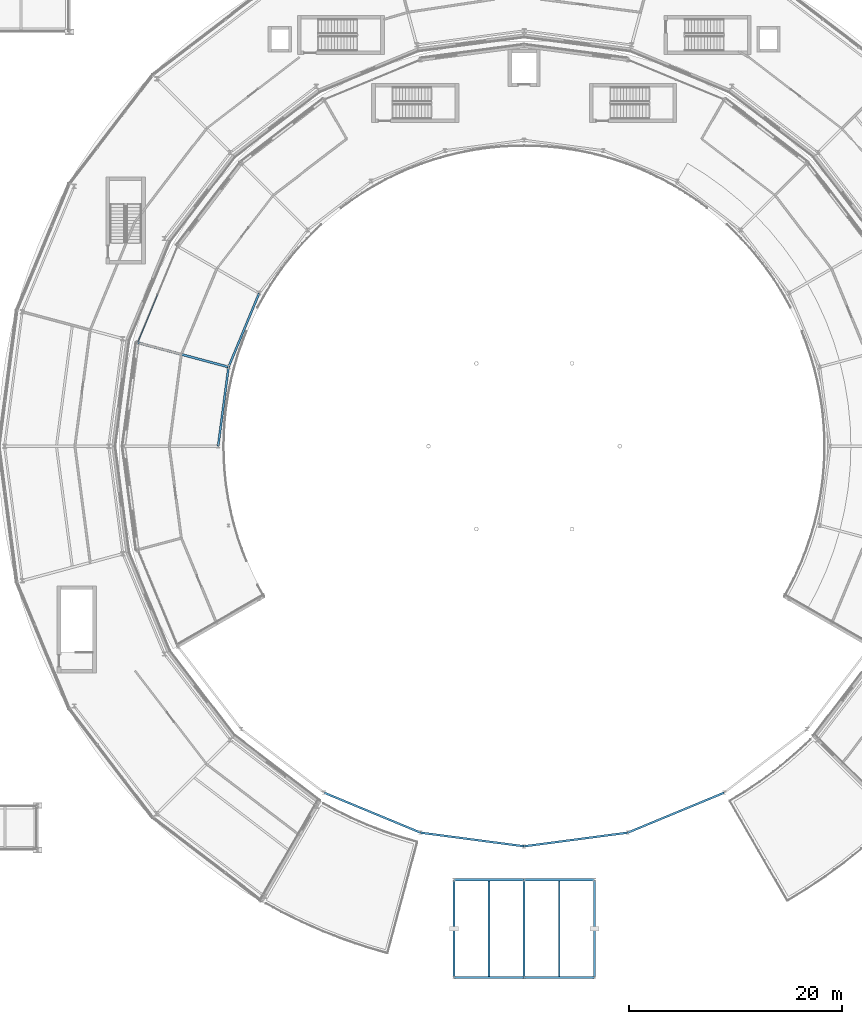
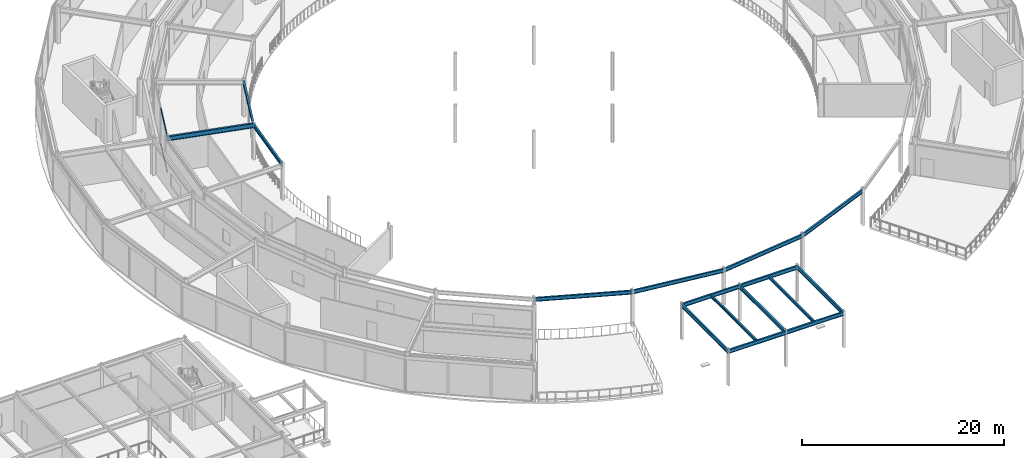
# One storey, part 40 of 157: 16 beams, 2 members, 1 element without a shape of its own.
"""IFC4 building model written with IfcOpenShell, lengths in metres."""

from ifc_helpers import new_model, si_unit, direction, frame, origin, origin_2d, place, context, subcontext, project, spatial, hollow_rectangle, i_section, extrude, material, material_profile, profile_set, type_object, element, aggregate, save


model = new_model("IFC4")

# Units and contexts
model_context = context("Model", 3, precision=1e-05, world=origin(), true_north=direction((0.0, 1.0)))
body_context = subcontext(model_context, "Body", "Model", "MODEL_VIEW")
ifc_project = project(units=[si_unit("LENGTHUNIT", "METRE"), si_unit("AREAUNIT", "SQUARE_METRE"), si_unit("VOLUMEUNIT", "CUBIC_METRE"), si_unit("PLANEANGLEUNIT", "RADIAN"), si_unit("MASSUNIT", "GRAM", prefix="KILO")], contexts=[model_context])

# Site, building, storey
site_placement = place(None, origin())
site = spatial("IfcSite", under=ifc_project, at=site_placement, CompositionType="ELEMENT")
building_placement = place(site_placement, origin())
building = spatial("IfcBuilding", under=site, at=building_placement, Name="Almandine Court Research Institute", CompositionType="ELEMENT")
storey_placement = place(building_placement, frame((0.0, 0.0, 5.25)))
storey = spatial("IfcBuildingStorey", under=building, at=storey_placement, Name="L01", CompositionType="ELEMENT", Elevation=5.25)

# Beams
ifc_material_1 = material(Name="Steel ASTM A992 Grade 50", Category="steel")
ifc_material_profile_1 = material_profile(ifc_material_1, i_section(OverallWidth=0.18994140625, OverallDepth=0.45703125, WebThickness=0.009033203125, FlangeThickness=0.014892578125, at=origin_2d()), Name="W460x74")
ifc_profile_set_1 = profile_set([ifc_material_profile_1], Name="Steel ASTM A992 Grade 50")
beam_type_1 = type_object("IfcBeamType", Name="Beam-B-01", PredefinedType="BEAM", material=ifc_profile_set_1)
beam_1_placement = place(storey_placement, frame((87.0, 6.0, 4.12109375), z_axis=(0.0, 1.0, 0.0), x_axis=(-1.0, 0.0, 0.0)))
element("IfcBeam", 1, at=beam_1_placement, inside=storey, type_object=beam_type_1, Name="L01 PSH-S Primary Y Girder", PredefinedType="BEAM", context=body_context, shape_type="SweptSolid", body=[
    extrude(i_section(OverallWidth=0.18994140625, OverallDepth=0.45703125, WebThickness=0.009033203125, FlangeThickness=0.014892578125, at=origin_2d()), origin(), (0.0, 0.0, 1.0), 9.199951171875),
])
beam_2_placement = place(storey_placement, frame((62.05810546875, 70.39990234375, 4.14111328125), z_axis=(-0.382700732442, -0.923872366395, 0.0), x_axis=(0.923872366395, -0.382700732442, 0.0)))
element("IfcBeam", 2, at=beam_2_placement, inside=storey, type_object=beam_type_1, Name="L01 Atrium Gallery Edge Beam", PredefinedType="BEAM", context=body_context, shape_type="SweptSolid", body=[
    extrude(i_section(OverallWidth=0.18994140625, OverallDepth=0.45703125, WebThickness=0.009033203125, FlangeThickness=0.014892578125, at=origin_2d()), origin(), (0.0, 0.0, 1.0), 7.51806640625),
])
beam_3_placement = place(storey_placement, frame((59.180908203125, 63.4541015625, 4.14111328125), z_axis=(-0.130474672489, -0.991451642713, 0.0), x_axis=(0.991451642713, -0.130474672489, 0.0)))
element("IfcBeam", 3, at=beam_3_placement, inside=storey, type_object=beam_type_1, Name="L01 Atrium Gallery Edge Beam", PredefinedType="BEAM", context=body_context, shape_type="SweptSolid", body=[
    extrude(i_section(OverallWidth=0.18994140625, OverallDepth=0.45703125, WebThickness=0.009033203125, FlangeThickness=0.014892578125, at=origin_2d()), origin(), (0.0, 0.0, 1.0), 7.518310546875),
])
beam_4_placement = place(storey_placement, frame((68.175048828125, 23.39404296875, 4.14111328125), z_axis=(0.92387967829, -0.382683080424, 0.0), x_axis=(0.382683080424, 0.92387967829, 0.0)))
element("IfcBeam", 4, at=beam_4_placement, inside=storey, type_object=beam_type_1, Name="L01 Atrium Outer Ring Beam", PredefinedType="BEAM", context=body_context, shape_type="SweptSolid", body=[
    extrude(i_section(OverallWidth=0.18994140625, OverallDepth=0.45703125, WebThickness=0.009033203125, FlangeThickness=0.014892578125, at=origin_2d()), origin(), (0.0, 0.0, 1.0), 9.827880859375),
])
for number, where, z_axis, x_axis, name in (
    (5, (77.2548828125, 19.633056640625, 4.14111328125), (0.991444993461, -0.130525188913, 0.0), (0.130525188913, 0.991444993461, 0.0), "L01 Atrium Outer Ring Beam"),
    (6, (87.0, 18.35009765625, 4.14111328125), (0.991444993461, 0.130525188913, 0.0), (-0.130525188913, 0.991444993461, 0.0), "L01 Atrium Outer Ring Beam"),
):
    element("IfcBeam", number, at=place(storey_placement, frame(where, z_axis=z_axis, x_axis=x_axis)), inside=storey, type_object=beam_type_1, Name=name, PredefinedType="BEAM", context=body_context, shape_type="SweptSolid", body=[
        extrude(i_section(OverallWidth=0.18994140625, OverallDepth=0.45703125, WebThickness=0.009033203125, FlangeThickness=0.014892578125, at=origin_2d()), origin(), (0.0, 0.0, 1.0), 9.8291015625),
    ])
beam_5_placement = place(storey_placement, frame((96.7451171875, 19.633056640625, 4.14111328125), z_axis=(0.92387967829, 0.382683080424, 0.0), x_axis=(-0.382683080424, 0.92387967829, 0.0)))
element("IfcBeam", 7, at=beam_5_placement, inside=storey, type_object=beam_type_1, Name="L01 Atrium Outer Ring Beam", PredefinedType="BEAM", context=body_context, shape_type="SweptSolid", body=[
    extrude(i_section(OverallWidth=0.18994140625, OverallDepth=0.45703125, WebThickness=0.009033203125, FlangeThickness=0.014892578125, at=origin_2d()), origin(), (0.0, 0.0, 1.0), 9.827880859375),
])
ifc_material_profile_2 = material_profile(ifc_material_1, i_section(OverallWidth=0.172119140625, OverallDepth=0.35791015625, WebThickness=0.008056640625, FlangeThickness=0.012939453125, at=origin_2d()), Name="W360x57")
ifc_profile_set_2 = profile_set([ifc_material_profile_2], Name="Steel ASTM A992 Grade 50")
beam_type_2 = type_object("IfcBeamType", Name="Beam-B-03", PredefinedType="JOIST", material=ifc_profile_set_2)
for number, where, z_axis, x_axis, name in (
    (8, (83.699951171875, 6.094970703125, 4.1708984375), (0.0, 1.0, 0.0), (-1.0, 0.0, 0.0), "L01 PSH-S Composite Secondary Beam"),
    (9, (90.300048828125, 6.094970703125, 4.1708984375), (0.0, 1.0, 0.0), (-1.0, 0.0, 0.0), "L01 PSH-S Composite Secondary Beam"),
):
    element("IfcBeam", number, at=place(storey_placement, frame(where, z_axis=z_axis, x_axis=x_axis)), inside=storey, type_object=beam_type_2, Name=name, PredefinedType="JOIST", context=body_context, shape_type="SweptSolid", body=[
        extrude(i_section(OverallWidth=0.172119140625, OverallDepth=0.35791015625, WebThickness=0.008056640625, FlangeThickness=0.012939453125, at=origin_2d()), origin(), (0.0, 0.0, 1.0), 9.010009765625),
    ])
ifc_material_profile_3 = material_profile(ifc_material_1, i_section(OverallWidth=0.2109375, OverallDepth=0.5390625, WebThickness=0.011962890625, FlangeThickness=0.01904296875, at=origin_2d()), Name="W530x109")
ifc_profile_set_3 = profile_set([ifc_material_profile_3], Name="Steel ASTM A992 Grade 50")
beam_type_3 = type_object("IfcBeamType", Name="Beam-G-04", PredefinedType="BEAM", material=ifc_profile_set_3)
beam_6_placement = place(storey_placement, frame((59.180908203125, 63.4541015625, 4.10009765625), z_axis=(-0.965908147944, 0.258885012576, 0.0), x_axis=(-0.258885012576, -0.965908147944, 0.0)))
element("IfcBeam", 10, at=beam_6_placement, inside=storey, type_object=beam_type_3, Name="L01 Atrium Gallery Radial Girder", PredefinedType="BEAM", context=body_context, shape_type="SweptSolid", body=[
    extrude(i_section(OverallWidth=0.2109375, OverallDepth=0.5390625, WebThickness=0.011962890625, FlangeThickness=0.01904296875, at=origin_2d()), origin(), (0.0, 0.0, 1.0), 8.849609375),
])
ifc_material_profile_4 = material_profile(ifc_material_1, i_section(OverallWidth=0.193115234375, OverallDepth=0.466064453125, WebThickness=0.010986328125, FlangeThickness=0.01904296875, at=origin_2d()), Name="W460x97")
ifc_profile_set_4 = profile_set([ifc_material_profile_4], Name="Steel ASTM A992 Grade 50")
beam_type_4 = type_object("IfcBeamType", Name="Beam-G-06-E", PredefinedType="SPANDREL", material=ifc_profile_set_4)
for number, where, z_axis, x_axis, name in (
    (11, (80.39990234375, 6.0, 4.116943359375), (1.0, 0.0, 0.0), (0.0, 1.0, 0.0), "L01 PSH-S Primary X Girder"),
    (12, (87.0, 6.0, 4.116943359375), (1.0, 0.0, 0.0), (0.0, 1.0, 0.0), "L01 PSH-S Primary X Girder"),
    (13, (80.39990234375, 15.199951171875, 4.116943359375), (1.0, 0.0, 0.0), (0.0, 1.0, 0.0), "L01 PSH-S Primary X Girder"),
    (14, (87.0, 15.199951171875, 4.116943359375), (1.0, 0.0, 0.0), (0.0, 1.0, 0.0), "L01 PSH-S Primary X Girder"),
):
    element("IfcBeam", number, at=place(storey_placement, frame(where, z_axis=z_axis, x_axis=x_axis)), inside=storey, type_object=beam_type_4, Name=name, PredefinedType="SPANDREL", context=body_context, shape_type="SweptSolid", body=[
        extrude(i_section(OverallWidth=0.193115234375, OverallDepth=0.466064453125, WebThickness=0.010986328125, FlangeThickness=0.01904296875, at=origin_2d()), origin(), (0.0, 0.0, 1.0), 6.60009765625),
    ])
for number, where, z_axis, x_axis, name in (
    (15, (80.39990234375, 6.0, 4.116943359375), (0.0, 1.0, 0.0), (-1.0, 0.0, 0.0), "L01 PSH-S Primary Y Girder"),
    (16, (93.60009765625, 6.0, 4.116943359375), (0.0, 1.0, 0.0), (-1.0, 0.0, 0.0), "L01 PSH-S Primary Y Girder"),
):
    element("IfcBeam", number, at=place(storey_placement, frame(where, z_axis=z_axis, x_axis=x_axis)), inside=storey, type_object=beam_type_4, Name=name, PredefinedType="SPANDREL", context=body_context, shape_type="SweptSolid", body=[
        extrude(i_section(OverallWidth=0.193115234375, OverallDepth=0.466064453125, WebThickness=0.010986328125, FlangeThickness=0.01904296875, at=origin_2d()), origin(), (0.0, 0.0, 1.0), 9.199951171875),
    ])

# Curtain wall, members
ifc_material_2 = material(Name="Unitised Curtain Wall Framing and Solar Glazing", Category="glass")
curtain_wall_type = type_object("IfcCurtainWallType", Name="CW-CWG-24", PredefinedType="USERDEFINED", material=ifc_material_2)
curtain_wall_placement = place(storey_placement, origin())
curtain_wall = element("IfcCurtainWall", 17, at=curtain_wall_placement, inside=storey, type_object=curtain_wall_type, Name="L01 Interaction Atrium Perimeter Curtain Wall 10", ObjectType="UNITISED GLAZING", PredefinedType="USERDEFINED")
ifc_material_3 = material(Name="Anodised Aluminium AW-6063-T6", Category="aluminium")
ifc_material_profile_5 = material_profile(ifc_material_3, hollow_rectangle(XDim=0.06005859375, YDim=0.110107421875, WallThickness=0.00390625, at=origin_2d()), Name="ALU RHS 60x110x4")
ifc_profile_set_5 = profile_set([ifc_material_profile_5], Name="Anodised Aluminium AW-6063-T6")
member_type = type_object("IfcMemberType", Name="CWTrn-60x110", PredefinedType="NOTDEFINED", material=ifc_profile_set_5)
member_1_placement = place(storey_placement, frame((50.656982421875, 65.803466796875, 0.030029296875), z_axis=(0.382618675498, 0.923906353025, 0.0), x_axis=(-0.923906353025, 0.382618675498, 0.0)))
member_1 = element("IfcMember", 18, at=member_1_placement, type_object=member_type, Name="CWG-24 transom 1.1", ObjectType="TRANSOM", PredefinedType="USERDEFINED", context=body_context, shape_type="SweptSolid", body=[
    extrude(hollow_rectangle(XDim=0.06005859375, YDim=0.110107421875, WallThickness=0.00390625, at=origin_2d()), origin(), (0.0, 0.0, 1.0), 4.82080078125),
])
member_2_placement = place(storey_placement, frame((50.656982421875, 65.803466796875, 4.340087890625), z_axis=(0.382618675498, 0.923906353025, 0.0), x_axis=(-0.923906353025, 0.382618675498, 0.0)))
member_2 = element("IfcMember", 19, at=member_2_placement, type_object=member_type, Name="CWG-24 transom 1.2", ObjectType="TRANSOM", PredefinedType="USERDEFINED", context=body_context, shape_type="SweptSolid", body=[
    extrude(hollow_rectangle(XDim=0.06005859375, YDim=0.110107421875, WallThickness=0.00390625, at=origin_2d()), origin(), (0.0, 0.0, 1.0), 4.82080078125),
])
aggregate(curtain_wall, [member_1, member_2])

save(model, "model.ifc")
